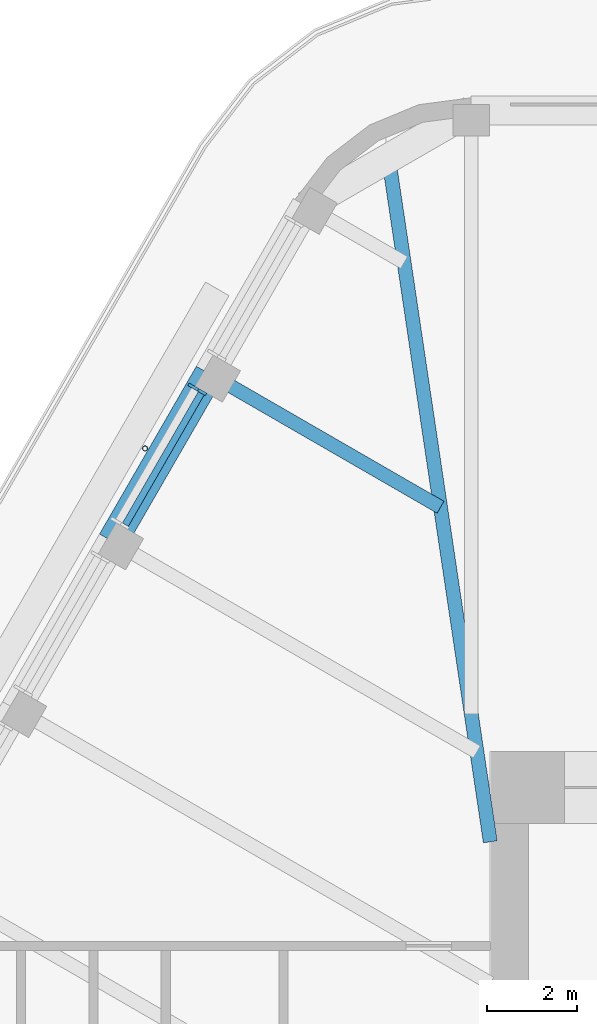
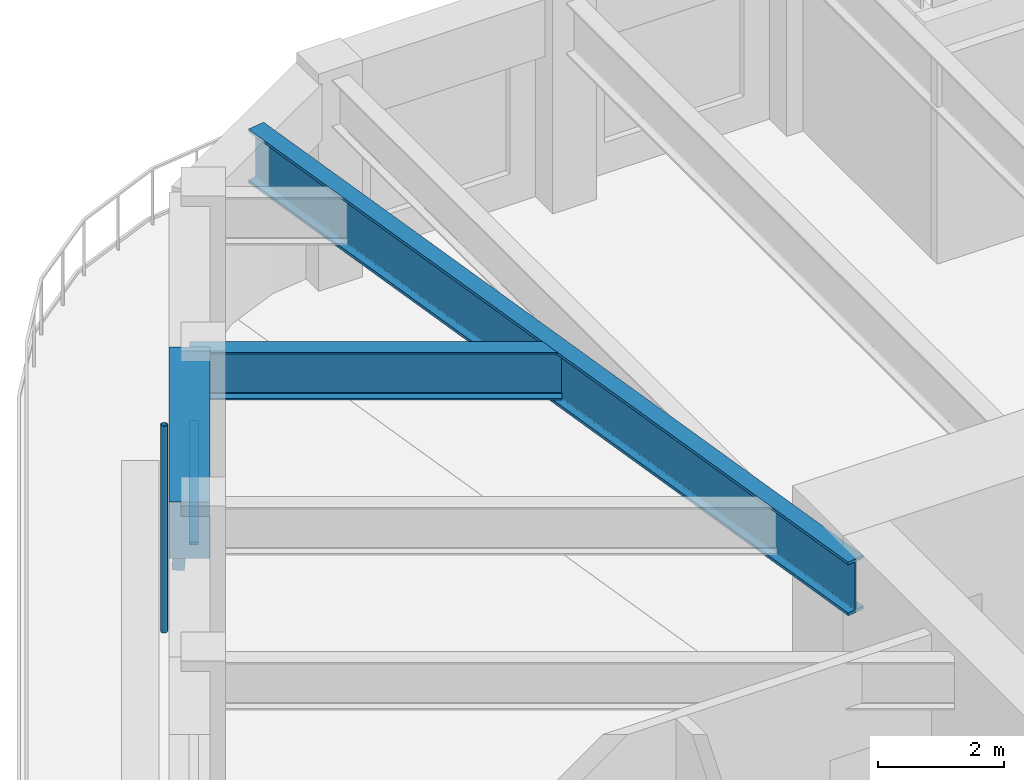
# One storey, part 8 of 20: 3 beams, 3 members, 1 element without a shape of its own.
"""IFC4 building model written with IfcOpenShell, lengths in metres."""

from ifc_helpers import new_model, si_unit, direction, frame, origin, origin_2d, place, context, subcontext, project, spatial, rectangle, hollow_circle, i_section, extrude, material, material_profile, profile_set, type_object, element, aggregate, save


model = new_model("IFC4")

# Units and contexts
model_context = context("Model", 3, precision=1e-05, world=origin(), true_north=direction((0.0, 1.0)))
body_context = subcontext(model_context, "Body", "Model", "MODEL_VIEW")
ifc_project = project(units=[si_unit("LENGTHUNIT", "METRE"), si_unit("AREAUNIT", "SQUARE_METRE"), si_unit("VOLUMEUNIT", "CUBIC_METRE"), si_unit("PLANEANGLEUNIT", "RADIAN"), si_unit("MASSUNIT", "GRAM", prefix="KILO")], contexts=[model_context])

# Site, building, storey
site_placement = place(None, origin())
site = spatial("IfcSite", under=ifc_project, at=site_placement, CompositionType="ELEMENT")
building_placement = place(site_placement, origin())
building = spatial("IfcBuilding", under=site, at=building_placement, Name="Tarfa Lantern Tower", CompositionType="ELEMENT")
storey_placement = place(building_placement, frame((0.0, 0.0, 378.699951171875)))
storey = spatial("IfcBuildingStorey", under=building, at=storey_placement, Name="L86", CompositionType="ELEMENT", Elevation=378.699951171875)

# Curtain wall, members
ifc_material_1 = material(Name="Aluminium framed curtain wall", Category="aluminium")
curtain_wall_type = type_object("IfcCurtainWallType", Name="CW4 CANTED GLAZING EXECUTIVE ZONE 2900", PredefinedType="USERDEFINED", material=ifc_material_1)
curtain_wall_placement = place(storey_placement, origin())
curtain_wall = element("IfcCurtainWall", 1, at=curtain_wall_placement, inside=storey, type_object=curtain_wall_type, Name="CW4 NW L86", ObjectType="CURTAIN WALL", PredefinedType="USERDEFINED")
ifc_material_2 = material(Name="Aluminium mullion", Category="aluminium")
ifc_material_profile_1 = material_profile(ifc_material_2, rectangle(XDim=0.06494140625, YDim=0.199951171875, at=origin_2d()), Name="AL MULLION 65x200")
ifc_profile_set_1 = profile_set([ifc_material_profile_1], Name="Aluminium mullion")
member_type_1 = type_object("IfcMemberType", Name="CWM1 MULLION 65x200", PredefinedType="MULLION", material=ifc_profile_set_1)
member_1_placement = place(storey_placement, frame((-19.013916015625, 20.3671875, 0.0), z_axis=(0.074393603155, -0.042941967097, 0.996303959277), x_axis=(0.499919672301, 0.866071776036, 0.0)))
member_1 = element("IfcMember", 2, at=member_1_placement, type_object=member_type_1, Name="CW4 mullion 1", PredefinedType="MULLION", context=body_context, shape_type="SweptSolid", body=[
    extrude(rectangle(XDim=0.06494140625, YDim=0.199951171875, at=origin_2d()), origin(), (0.0, 0.0, 1.0), 2.910888671875),
])
ifc_material_3 = material(Name="Aluminium transom", Category="aluminium")
ifc_material_profile_2 = material_profile(ifc_material_3, rectangle(XDim=0.14990234375, YDim=0.06494140625, at=origin_2d()), Name="AL TRANSOM 150x65")
ifc_profile_set_2 = profile_set([ifc_material_profile_2], Name="Aluminium transom")
member_type_2 = type_object("IfcMemberType", Name="CWT1 TRANSOM 150x65", PredefinedType="USERDEFINED", material=ifc_profile_set_2)
member_2_placement = place(storey_placement, frame((-18.81591796875, 20.21533203125, 2.867431640625), z_axis=(-0.500016677412, -0.866015774862, 0.0), x_axis=(0.866015774862, -0.500016677412, 0.0)))
member_2 = element("IfcMember", 3, at=member_2_placement, type_object=member_type_2, Name="CW4 transom 1.2", ObjectType="TRANSOM", PredefinedType="USERDEFINED", context=body_context, shape_type="SweptSolid", body=[
    extrude(rectangle(XDim=0.14990234375, YDim=0.06494140625, at=origin_2d()), origin(), (0.0, 0.0, 1.0), 3.35205078125),
])
aggregate(curtain_wall, [member_1, member_2])

# Beam
ifc_material_4 = material(Name="Concrete C80/95", Category="concrete")
ifc_material_profile_3 = material_profile(ifc_material_4, rectangle(XDim=0.64990234375, YDim=1.10009765625, at=origin_2d()), Name="RC 650x1100")
ifc_profile_set_3 = profile_set([ifc_material_profile_3], Name="Concrete C80/95")
beam_type_1 = type_object("IfcBeamType", Name="EB4 RC 650x1100", PredefinedType="SPANDREL", material=ifc_profile_set_3)
beam_1_placement = place(storey_placement, frame((-18.6416015625, 20.651611328125, 3.449951171875), z_axis=(-0.500026801138, -0.866009929587, 0.0), x_axis=(0.866009929587, -0.500026801138, 0.0)))
element("IfcBeam", 4, at=beam_1_placement, inside=storey, type_object=beam_type_1, Name="Edge beam NW1", PredefinedType="SPANDREL", context=body_context, shape_type="SweptSolid", body=[
    extrude(rectangle(XDim=0.64990234375, YDim=1.10009765625, at=origin_2d()), origin(), (0.0, 0.0, 1.0), 4.281982421875),
])

# Member
ifc_material_5 = material(Name="Steel S355", Category="steel")
ifc_material_profile_4 = material_profile(ifc_material_5, hollow_circle(Radius=0.05712890625, WallThickness=0.00634765625, at=origin_2d()), Name="CHS114.3x6.3")
ifc_profile_set_4 = profile_set([ifc_material_profile_4], Name="Steel S355")
member_type_3 = type_object("IfcMemberType", Name="TR1 GREEN WALL TRELLIS CHS114.3x6.3", PredefinedType="USERDEFINED", material=ifc_profile_set_4)
member_3_placement = place(storey_placement, frame((-20.05859375, 18.99755859375, 0.0), z_axis=(0.0, 0.0, 1.0), x_axis=(1.0, 0.0, 0.0)))
element("IfcMember", 5, at=member_3_placement, inside=storey, type_object=member_type_3, Name="Trellis post NW 1", ObjectType="TRELLIS", PredefinedType="USERDEFINED", context=body_context, shape_type="SweptSolid", body=[
    extrude(hollow_circle(Radius=0.05712890625, WallThickness=0.00634765625, at=origin_2d()), origin(), (0.0, 0.0, 1.0), 4.0),
])

# Beams
ifc_material_6 = material(Name="Steel S460M", Category="steel")
ifc_material_profile_5 = material_profile(ifc_material_6, i_section(OverallWidth=0.30859375, OverallDepth=1.036376953125, WebThickness=0.030029296875, FlangeThickness=0.05419921875, FilletRadius=0.030029296875, at=origin_2d()), Name="UB1016x305x487")
ifc_profile_set_5 = profile_set([ifc_material_profile_5], Name="Steel S460M")
beam_type_2 = type_object("IfcBeamType", Name="UB1016x305x487", PredefinedType="BEAM", material=ifc_profile_set_5)
beam_2_placement = place(storey_placement, frame((-12.425048828125, 10.300048828125, 3.48193359375), z_axis=(-0.147127069073, 0.989117599452, 0.0), x_axis=(-0.989117599452, -0.147127069073, 0.0)))
element("IfcBeam", 6, at=beam_2_placement, inside=storey, type_object=beam_type_2, Name="Hip girder NW", PredefinedType="BEAM", context=body_context, shape_type="SweptSolid", body=[
    extrude(i_section(OverallWidth=0.30859375, OverallDepth=1.036376953125, WebThickness=0.030029296875, FlangeThickness=0.05419921875, FilletRadius=0.030029296875, at=origin_2d()), origin(), (0.0, 0.0, 1.0), 15.28125),
])
ifc_material_profile_6 = material_profile(ifc_material_6, i_section(OverallWidth=0.305419921875, OverallDepth=0.91845703125, WebThickness=0.017333984375, FlangeThickness=0.02783203125, FilletRadius=0.01904296875, at=origin_2d()), Name="UB914x305x253")
ifc_profile_set_6 = profile_set([ifc_material_profile_6], Name="Steel S460M")
beam_type_3 = type_object("IfcBeamType", Name="UB914x305x253", PredefinedType="BEAM", material=ifc_profile_set_6)
beam_3_placement = place(storey_placement, frame((-18.6416015625, 20.651611328125, 3.540771484375), z_axis=(0.866024549157, -0.500001480256, 0.0), x_axis=(0.500001480256, 0.866024549157, 0.0)))
element("IfcBeam", 7, at=beam_3_placement, inside=storey, type_object=beam_type_3, Name="Floor beam NW1", PredefinedType="BEAM", context=body_context, shape_type="SweptSolid", body=[
    extrude(i_section(OverallWidth=0.305419921875, OverallDepth=0.91845703125, WebThickness=0.017333984375, FlangeThickness=0.02783203125, FilletRadius=0.01904296875, at=origin_2d()), origin(), (0.0, 0.0, 1.0), 5.90771484375),
])

save(model, "model.ifc")
